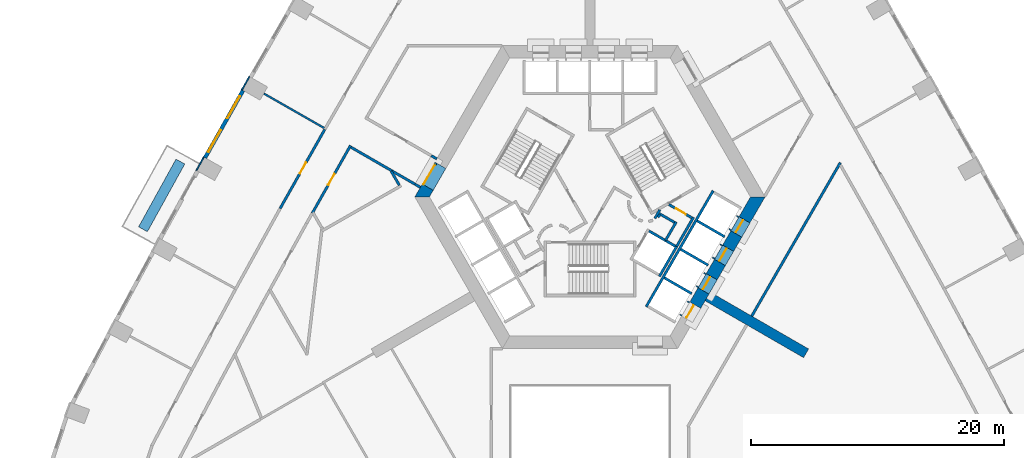
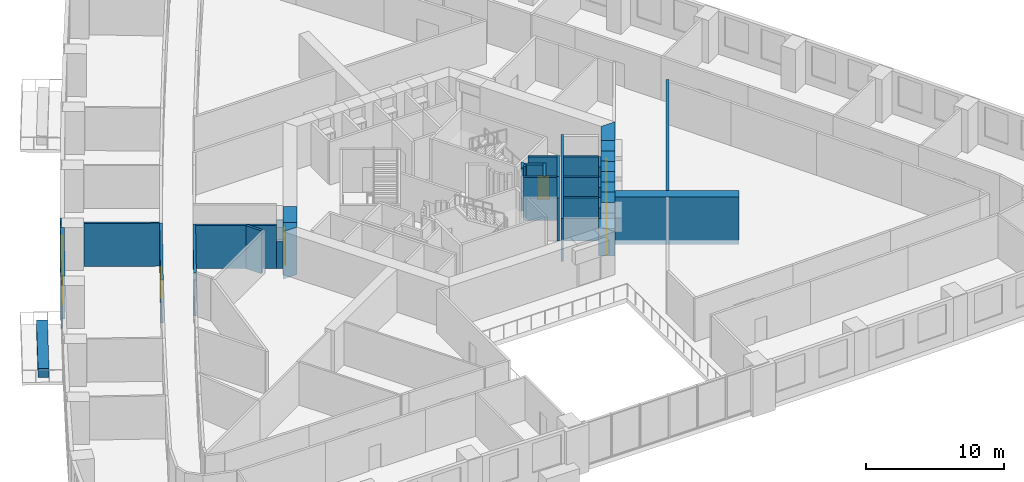
# One storey, part 7 of 16: 40 walls, 8 doors, 2 windows, 10 openings.
"""IFC4 building model written with IfcOpenShell, lengths in metres."""

from ifc_helpers import new_model, si_unit, direction, frame, frame_2d, origin, place, context, subcontext, project, spatial, polyline, rectangle, outline, extrude, material, layer, layer_set, type_object, element, fill, save


model = new_model("IFC4")

# Units and contexts
model_context = context("Model", 3, precision=1e-05, world=origin(), true_north=direction((0.0, 1.0)))
body_context = subcontext(model_context, "Body", "Model", "MODEL_VIEW")
ifc_project = project(units=[si_unit("LENGTHUNIT", "METRE"), si_unit("AREAUNIT", "SQUARE_METRE"), si_unit("VOLUMEUNIT", "CUBIC_METRE"), si_unit("PLANEANGLEUNIT", "RADIAN"), si_unit("MASSUNIT", "GRAM", prefix="KILO")], contexts=[model_context])

# Site, building, storey
site_placement = place(None, origin())
site = spatial("IfcSite", under=ifc_project, at=site_placement, CompositionType="ELEMENT")
building_placement = place(site_placement, origin())
building = spatial("IfcBuilding", under=site, at=building_placement, Name="Entoto Arch Interchange Tower", CompositionType="ELEMENT")
storey_placement = place(building_placement, frame((0.0, 0.0, 68.60009765625)))
storey = spatial("IfcBuildingStorey", under=building, at=storey_placement, Name="L14", CompositionType="ELEMENT", Elevation=68.60009765625)

# Wall
ifc_material_1 = material(Name="Concrete C60/75", Category="concrete")
ifc_layer_1 = layer(ifc_material_1, 0.800048828125)
ifc_layer_set_1 = layer_set([ifc_layer_1], Name="Concrete C60/75")
wall_type_1 = type_object("IfcWallType", Name="Buttress wall 800 C60/75", PredefinedType="SHEAR", material=ifc_layer_set_1)
wall_1_placement = place(storey_placement, frame((9.31005859375, -5.375, -0.400146484375), z_axis=(0.0, 0.0, 1.0), x_axis=(0.866017533419, -0.500013631625, 0.0)))
element("IfcWall", 1, at=wall_1_placement, inside=storey, type_object=wall_type_1, Name="Buttress wall SE L14", PredefinedType="SHEAR", context=body_context, shape_type="SweptSolid", body=[
    extrude(rectangle(XDim=8.999755859375, YDim=0.800048828125, at=frame_2d((4.5, 0.0))), origin(), (0.0, 0.0, 1.0), 4.199951171875),
])

# Wall, opening, door
ifc_material_2 = material(Name="Reinforced concrete C40/50", Category="concrete")
ifc_layer_2 = layer(ifc_material_2, 0.199951171875)
ifc_layer_set_2 = layer_set([ifc_layer_2], Name="Reinforced concrete C40/50")
wall_type_2 = type_object("IfcWallType", Name="CORE GAP INFILL WALL", PredefinedType="PARTITIONING", material=ifc_layer_set_2)
wall_2_placement = place(storey_placement, frame((-12.179931640625, 5.201904296875, 0.0), z_axis=(0.0, 0.0, 1.0), x_axis=(-0.50002537861, -0.866010750942, 0.0)))
wall_2 = element("IfcWall", 2, at=wall_2_placement, inside=storey, type_object=wall_type_2, Name="wall:L14:gap3", PredefinedType="PARTITIONING", context=body_context, shape_type="SweptSolid", body=[
    extrude(rectangle(XDim=2.0, YDim=0.199951171875, at=frame_2d((1.0, 0.0))), origin(), (0.0, 0.0, 1.0), 2.39990234375),
])
opening_1_placement = place(wall_2_placement, frame((0.18994140625, 0.0, 0.0)))
opening_1 = element("IfcOpeningElement", 3, at=opening_1_placement, cuts=wall_2, Name="Opening L14-D93", PredefinedType="OPENING", context=body_context, shape_type="SweptSolid", body=[
    extrude(rectangle(XDim=1.800048828125, YDim=2.10009765625, at=frame_2d((0.89990234375, 1.050048828125))), frame((0.0, 0.10986328125, 0.0), z_axis=(0.0, -1.0, 0.0), x_axis=(1.0, 0.0, 0.0)), (0.0, 0.0, 1.0), 0.219970703125),
])
ifc_material_3 = material(Name="Fire-rated Steel S235 door and frame", Category="steel")
door_type_1 = type_object("IfcDoorType", Name="DOOR FD-18 1800x2100", OperationType="DOUBLE_DOOR_SINGLE_SWING", PredefinedType="DOOR", material=ifc_material_3)
door_1_placement = place(opening_1_placement, origin())
door_1 = element("IfcDoor", 4, at=door_1_placement, inside=storey, type_object=door_type_1, Name="door:L14:gap3", OperationType="DOUBLE_DOOR_SINGLE_SWING", OverallHeight=2.10009765625, OverallWidth=1.800048828125, PredefinedType="DOOR", context=body_context, shape_type="SweptSolid", body=[
    extrude(rectangle(XDim=1.800048828125, YDim=2.10009765625, at=frame_2d((0.89990234375, 1.050048828125))), frame((0.0, 0.02490234375, 0.0), z_axis=(0.0, -1.0, 0.0), x_axis=(1.0, 0.0, 0.0)), (0.0, 0.0, 1.0), 0.050048828125),
])
fill(opening_1, door_1)

# Walls
ifc_layer_3 = layer(ifc_material_1, 1.0)
ifc_layer_set_3 = layer_set([ifc_layer_3], Name="Concrete C60/75")
wall_type_3 = type_object("IfcWallType", Name="Core wall 1000 C60/75", PredefinedType="SHEAR", material=ifc_layer_set_3)
wall_3_placement = place(storey_placement, frame((0.0, 0.0, -0.400146484375)))
element("IfcWall", 5, at=wall_3_placement, inside=storey, type_object=wall_type_3, Name="Core wall NW L14", PredefinedType="SHEAR", context=body_context, shape_type="SweptSolid", body=[
    extrude(outline(polyline([(-12.402099609375, 3.02001953125), (-13.26708984375, 3.52001953125), (-13.85595703125, 2.5), (-12.701904296875, 2.5), (-12.402099609375, 3.02001953125)])), origin(), (0.0, 0.0, 1.0), 4.199951171875),
])
wall_4_placement = place(storey_placement, frame((0.0, 0.0, 3.599853515625)))
element("IfcWall", 6, at=wall_4_placement, inside=storey, type_object=wall_type_3, Name="Core wall lintel NW L14", PredefinedType="SHEAR", context=body_context, shape_type="SweptSolid", body=[
    extrude(outline(polyline([(-13.26708984375, 3.52001953125), (-12.402099609375, 3.02001953125), (-11.402099609375, 4.751953125), (-12.26708984375, 5.251953125), (-13.26708984375, 3.52001953125)])), origin(), (0.0, 0.0, 1.0), 0.199951171875),
])
wall_5_placement = place(storey_placement, frame((0.0, 0.0, -0.400146484375)))
element("IfcWall", 7, at=wall_5_placement, inside=storey, type_object=wall_type_3, Name="Core wall SE L14", PredefinedType="SHEAR", context=body_context, shape_type="SweptSolid", body=[
    extrude(outline(polyline([(9.4169921875, -5.18896484375), (8.551025390625, -4.68896484375), (7.902099609375, -5.81396484375), (8.76708984375, -6.31396484375), (9.4169921875, -5.18896484375)])), origin(), (0.0, 0.0, 1.0), 4.199951171875),
])
wall_6_placement = place(storey_placement, frame((0.0, 0.0, -0.400146484375)))
element("IfcWall", 8, at=wall_6_placement, inside=storey, type_object=wall_type_3, Name="Core wall SE L14", PredefinedType="SHEAR", context=body_context, shape_type="SweptSolid", body=[
    extrude(outline(polyline([(10.717041015625, -2.93701171875), (9.85107421875, -2.43701171875), (9.200927734375, -3.56298828125), (10.06689453125, -4.06298828125), (10.717041015625, -2.93701171875)])), origin(), (0.0, 0.0, 1.0), 4.199951171875),
])
wall_7_placement = place(storey_placement, frame((0.0, 0.0, -0.400146484375)))
element("IfcWall", 9, at=wall_7_placement, inside=storey, type_object=wall_type_3, Name="Core wall SE L14", PredefinedType="SHEAR", context=body_context, shape_type="SweptSolid", body=[
    extrude(outline(polyline([(12.01708984375, -0.68603515625), (11.15087890625, -0.18603515625), (10.5009765625, -1.31103515625), (11.366943359375, -1.81103515625), (12.01708984375, -0.68603515625)])), origin(), (0.0, 0.0, 1.0), 4.199951171875),
])
wall_8_placement = place(storey_placement, frame((0.0, 0.0, -0.400146484375)))
element("IfcWall", 10, at=wall_8_placement, inside=storey, type_object=wall_type_3, Name="Core wall SE L14", PredefinedType="SHEAR", context=body_context, shape_type="SweptSolid", body=[
    extrude(outline(polyline([(11.801025390625, 0.93994140625), (12.6669921875, 0.43994140625), (13.85595703125, 2.5), (12.701904296875, 2.5), (11.801025390625, 0.93994140625)])), origin(), (0.0, 0.0, 1.0), 4.199951171875),
])
wall_9_placement = place(storey_placement, frame((0.0, 0.0, 3.599853515625)))
element("IfcWall", 11, at=wall_9_placement, inside=storey, type_object=wall_type_3, Name="Core wall lintel SE L14", PredefinedType="SHEAR", context=body_context, shape_type="SweptSolid", body=[
    extrude(outline(polyline([(10.06689453125, -4.06298828125), (9.200927734375, -3.56298828125), (8.551025390625, -4.68896484375), (9.4169921875, -5.18896484375), (10.06689453125, -4.06298828125)])), origin(), (0.0, 0.0, 1.0), 0.199951171875),
])
wall_10_placement = place(storey_placement, frame((0.0, 0.0, 3.599853515625)))
element("IfcWall", 12, at=wall_10_placement, inside=storey, type_object=wall_type_3, Name="Core wall lintel SE L14", PredefinedType="SHEAR", context=body_context, shape_type="SweptSolid", body=[
    extrude(outline(polyline([(11.366943359375, -1.81103515625), (10.5009765625, -1.31103515625), (9.85107421875, -2.43701171875), (10.717041015625, -2.93701171875), (11.366943359375, -1.81103515625)])), origin(), (0.0, 0.0, 1.0), 0.199951171875),
])
wall_11_placement = place(storey_placement, frame((0.0, 0.0, 3.599853515625)))
element("IfcWall", 13, at=wall_11_placement, inside=storey, type_object=wall_type_3, Name="Core wall lintel SE L14", PredefinedType="SHEAR", context=body_context, shape_type="SweptSolid", body=[
    extrude(outline(polyline([(12.6669921875, 0.43994140625), (11.801025390625, 0.93994140625), (11.15087890625, -0.18603515625), (12.01708984375, -0.68603515625), (12.6669921875, 0.43994140625)])), origin(), (0.0, 0.0, 1.0), 0.199951171875),
])

# Wall, opening, door
ifc_material_4 = material(Name="Concrete C40/50", Category="concrete")
ifc_layer_4 = layer(ifc_material_4, 1.199951171875)
ifc_layer_set_4 = layer_set([ifc_layer_4], Name="Concrete C40/50")
wall_type_4 = type_object("IfcWallType", Name="LIFT LANDING INFILL WALL", PredefinedType="STANDARD", material=ifc_layer_set_4)
wall_12_placement = place(storey_placement, frame((7.597900390625, -7.139892578125, 0.0), z_axis=(0.0, 0.0, 1.0), x_axis=(0.500362116554, 0.865816234728, 0.0)))
wall_12 = element("IfcWall", 14, at=wall_12_placement, inside=storey, type_object=wall_type_4, Name="Lift landing infill wall LR5 L14", PredefinedType="STANDARD", context=body_context, shape_type="SweptSolid", body=[
    extrude(rectangle(XDim=1.29931640625, YDim=1.199951171875, at=frame_2d((0.649658203125, 0.0))), origin(), (0.0, 0.0, 1.0), 2.39990234375),
])
opening_2_placement = place(wall_12_placement, frame((0.10009765625, 0.0, 0.0)))
opening_2 = element("IfcOpeningElement", 15, at=opening_2_placement, cuts=wall_12, Name="Opening LD-LR5-L14", PredefinedType="OPENING", context=body_context, shape_type="SweptSolid", body=[
    extrude(rectangle(XDim=1.10009765625, YDim=2.300048828125, at=frame_2d((0.550048828125, 1.14990234375))), frame((0.0, 0.60986328125, 0.0), z_axis=(0.0, -1.0, 0.0), x_axis=(1.0, 0.0, 0.0)), (0.0, 0.0, 1.0), 1.219970703125),
])
ifc_material_5 = material(Name="Stainless steel 1.4301 panels", Category="steel")
door_type_2 = type_object("IfcDoorType", Name="LIFT LANDING DOOR LD2 1100x2300", OperationType="SLIDING_TO_LEFT", PredefinedType="DOOR", material=ifc_material_5)
door_2_placement = place(opening_2_placement, origin())
door_2 = element("IfcDoor", 16, at=door_2_placement, inside=storey, type_object=door_type_2, Name="Lift landing door LR5 L14", OperationType="SLIDING_TO_LEFT", OverallHeight=2.300048828125, OverallWidth=1.10009765625, PredefinedType="DOOR", context=body_context, shape_type="SweptSolid", body=[
    extrude(rectangle(XDim=1.10009765625, YDim=2.300048828125, at=frame_2d((0.550048828125, 1.14990234375))), frame((0.0, 0.02490234375, 0.0), z_axis=(0.0, -1.0, 0.0), x_axis=(1.0, 0.0, 0.0)), (0.0, 0.0, 1.0), 0.050048828125),
])
fill(opening_2, door_2)

wall_13_placement = place(storey_placement, frame((8.89794921875, -4.888916015625, 0.0), z_axis=(0.0, 0.0, 1.0), x_axis=(0.500036693733, 0.866004217611, 0.0)))
wall_13 = element("IfcWall", 17, at=wall_13_placement, inside=storey, type_object=wall_type_4, Name="Lift landing infill wall LR6 L14", PredefinedType="STANDARD", context=body_context, shape_type="SweptSolid", body=[
    extrude(rectangle(XDim=1.30029296875, YDim=1.199951171875, at=frame_2d((0.650146484375, 0.0))), origin(), (0.0, 0.0, 1.0), 2.39990234375),
])
opening_3_placement = place(wall_13_placement, frame((0.10009765625, 0.0, 0.0)))
opening_3 = element("IfcOpeningElement", 18, at=opening_3_placement, cuts=wall_13, Name="Opening LD-LR6-L14", PredefinedType="OPENING", context=body_context, shape_type="SweptSolid", body=[
    extrude(rectangle(XDim=1.10009765625, YDim=2.300048828125, at=frame_2d((0.550048828125, 1.14990234375))), frame((0.0, 0.60986328125, 0.0), z_axis=(0.0, -1.0, 0.0), x_axis=(1.0, 0.0, 0.0)), (0.0, 0.0, 1.0), 1.219970703125),
])
door_3_placement = place(opening_3_placement, origin())
door_3 = element("IfcDoor", 19, at=door_3_placement, inside=storey, type_object=door_type_2, Name="Lift landing door LR6 L14", OperationType="SLIDING_TO_LEFT", OverallHeight=2.300048828125, OverallWidth=1.10009765625, PredefinedType="DOOR", context=body_context, shape_type="SweptSolid", body=[
    extrude(rectangle(XDim=1.10009765625, YDim=2.300048828125, at=frame_2d((0.550048828125, 1.14990234375))), frame((0.0, 0.02490234375, 0.0), z_axis=(0.0, -1.0, 0.0), x_axis=(1.0, 0.0, 0.0)), (0.0, 0.0, 1.0), 0.050048828125),
])
fill(opening_3, door_3)

wall_14_placement = place(storey_placement, frame((10.197998046875, -2.636962890625, 0.0), z_axis=(0.0, 0.0, 1.0), x_axis=(0.49989585183, 0.866085525409, 0.0)))
wall_14 = element("IfcWall", 20, at=wall_14_placement, inside=storey, type_object=wall_type_4, Name="Lift landing infill wall LR7 L14", PredefinedType="STANDARD", context=body_context, shape_type="SweptSolid", body=[
    extrude(rectangle(XDim=1.300048828125, YDim=1.199951171875, at=frame_2d((0.64990234375, 0.0))), origin(), (0.0, 0.0, 1.0), 2.39990234375),
])
opening_4_placement = place(wall_14_placement, frame((0.10009765625, 0.0, 0.0)))
opening_4 = element("IfcOpeningElement", 21, at=opening_4_placement, cuts=wall_14, Name="Opening LD-LR7-L14", PredefinedType="OPENING", context=body_context, shape_type="SweptSolid", body=[
    extrude(rectangle(XDim=1.10009765625, YDim=2.300048828125, at=frame_2d((0.550048828125, 1.14990234375))), frame((0.0, 0.60986328125, 0.0), z_axis=(0.0, -1.0, 0.0), x_axis=(1.0, 0.0, 0.0)), (0.0, 0.0, 1.0), 1.219970703125),
])
door_4_placement = place(opening_4_placement, origin())
door_4 = element("IfcDoor", 22, at=door_4_placement, inside=storey, type_object=door_type_2, Name="Lift landing door LR7 L14", OperationType="SLIDING_TO_LEFT", OverallHeight=2.300048828125, OverallWidth=1.10009765625, PredefinedType="DOOR", context=body_context, shape_type="SweptSolid", body=[
    extrude(rectangle(XDim=1.10009765625, YDim=2.300048828125, at=frame_2d((0.550048828125, 1.14990234375))), frame((0.0, 0.02490234375, 0.0), z_axis=(0.0, -1.0, 0.0), x_axis=(1.0, 0.0, 0.0)), (0.0, 0.0, 1.0), 0.050048828125),
])
fill(opening_4, door_4)

wall_15_placement = place(storey_placement, frame((11.498046875, -0.385009765625, 0.0), z_axis=(0.0, 0.0, 1.0), x_axis=(0.500221244143, 0.865897630733, 0.0)))
wall_15 = element("IfcWall", 23, at=wall_15_placement, inside=storey, type_object=wall_type_4, Name="Lift landing infill wall LR8 L14", PredefinedType="STANDARD", context=body_context, shape_type="SweptSolid", body=[
    extrude(rectangle(XDim=1.29931640625, YDim=1.199951171875, at=frame_2d((0.649658203125, 0.0))), origin(), (0.0, 0.0, 1.0), 2.39990234375),
])
opening_5_placement = place(wall_15_placement, frame((0.10009765625, 0.0, 0.0)))
opening_5 = element("IfcOpeningElement", 24, at=opening_5_placement, cuts=wall_15, Name="Opening LD-LR8-L14", PredefinedType="OPENING", context=body_context, shape_type="SweptSolid", body=[
    extrude(rectangle(XDim=1.10009765625, YDim=2.300048828125, at=frame_2d((0.550048828125, 1.14990234375))), frame((0.0, 0.60986328125, 0.0), z_axis=(0.0, -1.0, 0.0), x_axis=(1.0, 0.0, 0.0)), (0.0, 0.0, 1.0), 1.219970703125),
])
door_5_placement = place(opening_5_placement, origin())
door_5 = element("IfcDoor", 25, at=door_5_placement, inside=storey, type_object=door_type_2, Name="Lift landing door LR8 L14", OperationType="SLIDING_TO_LEFT", OverallHeight=2.300048828125, OverallWidth=1.10009765625, PredefinedType="DOOR", context=body_context, shape_type="SweptSolid", body=[
    extrude(rectangle(XDim=1.10009765625, YDim=2.300048828125, at=frame_2d((0.550048828125, 1.14990234375))), frame((0.0, 0.02490234375, 0.0), z_axis=(0.0, -1.0, 0.0), x_axis=(1.0, 0.0, 0.0)), (0.0, 0.0, 1.0), 0.050048828125),
])
fill(opening_5, door_5)

# Walls
ifc_layer_5 = layer(ifc_material_4, 0.199951171875)
ifc_layer_set_5 = layer_set([ifc_layer_5], Name="Concrete C40/50")
wall_type_5 = type_object("IfcWallType", Name="LIFT SHAFT WALL 200", PredefinedType="STANDARD", material=ifc_layer_set_5)
wall_16_placement = place(storey_placement, frame((5.491943359375, -3.7880859375, 0.0), z_axis=(0.0, 0.0, 1.0), x_axis=(0.500011755427, 0.866018616679, 0.0)))
element("IfcWall", 26, at=wall_16_placement, inside=storey, type_object=wall_type_5, Name="Shaft wall SE1 back", PredefinedType="STANDARD", context=body_context, shape_type="SweptSolid", body=[
    extrude(rectangle(XDim=2.80029296875, YDim=0.199951171875, at=frame_2d((1.400146484375, 0.0))), origin(), (0.0, 0.0, 1.0), 3.7998046875),
])
wall_17_placement = place(storey_placement, frame((4.677001953125, -0.199951171875, 0.0), z_axis=(0.0, 0.0, 1.0), x_axis=(0.865973769406, -0.500089422704, 0.0)))
element("IfcWall", 27, at=wall_17_placement, inside=storey, type_object=wall_type_5, Name="Shaft wall SE1 cross 2", PredefinedType="STANDARD", context=body_context, shape_type="SweptSolid", body=[
    extrude(rectangle(XDim=2.3994140625, YDim=0.199951171875, at=frame_2d((1.19970703125, 0.0))), origin(), (0.0, 0.0, 1.0), 3.7998046875),
])
wall_18_placement = place(storey_placement, frame((4.450927734375, -6.18994140625, 0.0), z_axis=(0.0, 0.0, 1.0), x_axis=(0.50000090737, 0.866024879913, 0.0)))
element("IfcWall", 28, at=wall_18_placement, inside=storey, type_object=wall_type_5, Name="Shaft wall SE3 front", PredefinedType="STANDARD", context=body_context, shape_type="SweptSolid", body=[
    extrude(rectangle(XDim=10.60009765625, YDim=0.199951171875, at=frame_2d((5.300048828125, 0.0))), origin(), (0.0, 0.0, 1.0), 3.7998046875),
])
for number, where, z_axis, x_axis, name in (
    (29, (5.887939453125, -3.902099609375, 0.0), (0.0, 0.0, 1.0), (0.866022959057, -0.500004234368, 0.0), "Shaft wall SE3 cross 2"),
    (30, (7.18798828125, -1.64990234375, 0.0), (0.0, 0.0, 1.0), (0.866022959057, -0.500004234368, 0.0), "Shaft wall SE3 cross 3"),
    (31, (8.488037109375, 0.60205078125, 0.0), (0.0, 0.0, 1.0), (0.866022959057, -0.500004234368, 0.0), "Shaft wall SE3 cross 4"),
):
    element("IfcWall", number, at=place(storey_placement, frame(where, z_axis=z_axis, x_axis=x_axis)), inside=storey, type_object=wall_type_5, Name=name, PredefinedType="STANDARD", context=body_context, shape_type="SweptSolid", body=[
        extrude(rectangle(XDim=2.5, YDim=0.199951171875, at=frame_2d((1.25, 0.0))), origin(), (0.0, 0.0, 1.0), 3.7998046875),
    ])
ifc_material_6 = material(Name="Gypsum board partition on steel studs", Category="steel")
ifc_layer_6 = layer(ifc_material_6, 0.14990234375)
ifc_layer_set_6 = layer_set([ifc_layer_6], Name="Gypsum board partition on steel studs")
wall_type_6 = type_object("IfcWallType", Name="PARTITION 150", PredefinedType="PARTITIONING", material=ifc_layer_set_6)
wall_19_placement = place(storey_placement, frame((-21.032958984375, 7.952880859375, 0.0), z_axis=(0.0, 0.0, 1.0), x_axis=(-0.868311678357, 0.496018980715, 0.0)))
element("IfcWall", 32, at=wall_19_placement, inside=storey, type_object=wall_type_6, Name="wall:L14:p146", PredefinedType="PARTITIONING", context=body_context, shape_type="SweptSolid", body=[
    extrude(rectangle(XDim=5.479736328125, YDim=0.14990234375, at=frame_2d((2.73974609375, 0.0))), origin(), (0.0, 0.0, 1.0), 3.7998046875),
])
ifc_layer_7 = layer(ifc_material_6, 0.199951171875)
ifc_layer_set_7 = layer_set([ifc_layer_7], Name="Gypsum board partition on steel studs")
wall_type_7 = type_object("IfcWallType", Name="PARTITION 200", PredefinedType="PARTITIONING", material=ifc_layer_set_7)
wall_20_placement = place(storey_placement, frame((-15.68701171875, 4.571044921875, 0.0), z_axis=(0.0, 0.0, 1.0), x_axis=(-0.866044530317, 0.49996687041, 0.0)))
element("IfcWall", 33, at=wall_20_placement, inside=storey, type_object=wall_type_7, Name="wall:L14:p027", PredefinedType="PARTITIONING", context=body_context, shape_type="SweptSolid", body=[
    extrude(rectangle(XDim=3.718017578125, YDim=0.199951171875, at=frame_2d((1.85888671875, 0.0))), origin(), (0.0, 0.0, 1.0), 3.7998046875),
])

# Wall, opening, door
wall_21_placement = place(storey_placement, frame((-18.945068359375, 6.56689453125, 0.0), z_axis=(0.0, 0.0, 1.0), x_axis=(-0.491840751019, -0.87068517596, 0.0)))
wall_21 = element("IfcWall", 34, at=wall_21_placement, inside=storey, type_object=wall_type_7, Name="wall:L14:p028", PredefinedType="PARTITIONING", context=body_context, shape_type="SweptSolid", body=[
    extrude(rectangle(XDim=6.16845703125, YDim=0.199951171875, at=frame_2d((3.084228515625, 0.0))), origin(), (0.0, 0.0, 1.0), 3.7998046875),
])
opening_6_placement = place(wall_21_placement, frame((2.583984375, 0.0, 0.0)))
opening_6 = element("IfcOpeningElement", 35, at=opening_6_placement, cuts=wall_21, Name="Opening L14-D21", PredefinedType="OPENING", context=body_context, shape_type="SweptSolid", body=[
    extrude(rectangle(XDim=1.0, YDim=2.10009765625, at=frame_2d((0.5, 1.050048828125))), frame((0.0, 0.10986328125, 0.0), z_axis=(0.0, -1.0, 0.0), x_axis=(1.0, 0.0, 0.0)), (0.0, 0.0, 1.0), 0.219970703125),
])
ifc_material_7 = material(Name="Timber door leaf in Steel S235 frame", Category="steel")
door_type_3 = type_object("IfcDoorType", Name="DOOR DS-10 1000x2100", OperationType="SINGLE_SWING_LEFT", PredefinedType="DOOR", material=ifc_material_7)
door_6_placement = place(opening_6_placement, origin())
door_6 = element("IfcDoor", 36, at=door_6_placement, inside=storey, type_object=door_type_3, Name="door:L14:21", OperationType="SINGLE_SWING_LEFT", OverallHeight=2.10009765625, OverallWidth=1.0, PredefinedType="DOOR", context=body_context, shape_type="SweptSolid", body=[
    extrude(rectangle(XDim=1.0, YDim=2.10009765625, at=frame_2d((0.5, 1.050048828125))), frame((0.0, 0.02490234375, 0.0), z_axis=(0.0, -1.0, 0.0), x_axis=(1.0, 0.0, 0.0)), (0.0, 0.0, 1.0), 0.050048828125),
])
fill(opening_6, door_6)

# Wall
wall_22_placement = place(storey_placement, frame((-13.4169921875, 3.260009765625, 0.0), z_axis=(0.0, 0.0, 1.0), x_axis=(-0.866071776036, 0.499919672301, 0.0)))
element("IfcWall", 37, at=wall_22_placement, inside=storey, type_object=wall_type_7, Name="wall:L14:p029", PredefinedType="PARTITIONING", context=body_context, shape_type="SweptSolid", body=[
    extrude(rectangle(XDim=0.5, YDim=0.199951171875, at=frame_2d((0.25, 0.0))), origin(), (0.0, 0.0, 1.0), 2.39990234375),
])

# Wall, opening, door
wall_23_placement = place(storey_placement, frame((-24.514892578125, 1.5849609375, 0.0), z_axis=(0.0, 0.0, 1.0), x_axis=(0.49174361417, 0.870740040381, 0.0)))
wall_23 = element("IfcWall", 38, at=wall_23_placement, inside=storey, type_object=wall_type_7, Name="wall:L14:p072", PredefinedType="PARTITIONING", context=body_context, shape_type="SweptSolid", body=[
    extrude(rectangle(XDim=7.1826171875, YDim=0.199951171875, at=frame_2d((3.59130859375, 0.0))), origin(), (0.0, 0.0, 1.0), 3.7998046875),
])
opening_7_placement = place(wall_23_placement, frame((3.166015625, 0.0, 0.0)))
opening_7 = element("IfcOpeningElement", 39, at=opening_7_placement, cuts=wall_23, Name="Opening L14-D14", PredefinedType="OPENING", context=body_context, shape_type="SweptSolid", body=[
    extrude(rectangle(XDim=1.0, YDim=2.10009765625, at=frame_2d((0.5, 1.050048828125))), frame((0.0, 0.10986328125, 0.0), z_axis=(0.0, -1.0, 0.0), x_axis=(1.0, 0.0, 0.0)), (0.0, 0.0, 1.0), 0.219970703125),
])
door_7_placement = place(opening_7_placement, origin())
door_7 = element("IfcDoor", 40, at=door_7_placement, inside=storey, type_object=door_type_3, Name="door:L14:14", OperationType="SINGLE_SWING_RIGHT", OverallHeight=2.10009765625, OverallWidth=1.0, PredefinedType="DOOR", context=body_context, shape_type="SweptSolid", body=[
    extrude(rectangle(XDim=1.0, YDim=2.10009765625, at=frame_2d((0.5, 1.050048828125))), frame((0.0, 0.02490234375, 0.0), z_axis=(0.0, -1.0, 0.0), x_axis=(1.0, 0.0, 0.0)), (0.0, 0.0, 1.0), 0.050048828125),
])
fill(opening_7, door_7)

# Walls
wall_24_placement = place(storey_placement, frame((5.389892578125, 0.89794921875, 0.0), z_axis=(0.0, 0.0, 1.0), x_axis=(0.673828488714, 0.738887791073, 0.0)))
element("IfcWall", 41, at=wall_24_placement, inside=storey, type_object=wall_type_7, Name="wall:L14:p086", PredefinedType="PARTITIONING", context=body_context, shape_type="SweptSolid", body=[
    extrude(rectangle(XDim=0.2626953125, YDim=0.199951171875, at=frame_2d((0.13134765625, 0.0))), origin(), (0.0, 0.0, 1.0), 3.7998046875),
])
wall_25_placement = place(storey_placement, frame((5.4990234375, 1.172119140625, 0.0), z_axis=(0.0, 0.0, 1.0), x_axis=(0.866333505267, -0.499465972466, 0.0)))
element("IfcWall", 42, at=wall_25_placement, inside=storey, type_object=wall_type_7, Name="wall:L14:p087", PredefinedType="PARTITIONING", context=body_context, shape_type="SweptSolid", body=[
    extrude(rectangle(XDim=1.37353515625, YDim=0.199951171875, at=frame_2d((0.686767578125, 0.0))), origin(), (0.0, 0.0, 1.0), 3.7998046875),
])
wall_26_placement = place(storey_placement, frame((6.825927734375, 0.52197265625, 0.0), z_axis=(0.0, 0.0, 1.0), x_axis=(-0.500016722714, -0.866015748706, 0.0)))
element("IfcWall", 43, at=wall_26_placement, inside=storey, type_object=wall_type_7, Name="wall:L14:p088", PredefinedType="PARTITIONING", context=body_context, shape_type="SweptSolid", body=[
    extrude(rectangle(XDim=1.69970703125, YDim=0.199951171875, at=frame_2d((0.849853515625, 0.0))), origin(), (0.0, 0.0, 1.0), 3.7998046875),
])

# Wall, opening, door
wall_27_placement = place(storey_placement, frame((6.25, 1.89404296875, 0.0), z_axis=(0.0, 0.0, 1.0), x_axis=(0.866043184279, -0.499969202016, 0.0)))
wall_27 = element("IfcWall", 44, at=wall_27_placement, inside=storey, type_object=wall_type_7, Name="wall:L14:p089", PredefinedType="PARTITIONING", context=body_context, shape_type="SweptSolid", body=[
    extrude(rectangle(XDim=2.084228515625, YDim=0.199951171875, at=frame_2d((1.0419921875, 0.0))), origin(), (0.0, 0.0, 1.0), 3.7998046875),
])
opening_8_placement = place(wall_27_placement, frame((0.64208984375, 0.0, 0.0)))
opening_8 = element("IfcOpeningElement", 45, at=opening_8_placement, cuts=wall_27, Name="Opening L14-D33", PredefinedType="OPENING", context=body_context, shape_type="SweptSolid", body=[
    extrude(rectangle(XDim=0.89990234375, YDim=2.10009765625, at=frame_2d((0.449951171875, 1.050048828125))), frame((0.0, 0.10986328125, 0.0), z_axis=(0.0, -1.0, 0.0), x_axis=(1.0, 0.0, 0.0)), (0.0, 0.0, 1.0), 0.219970703125),
])
door_type_4 = type_object("IfcDoorType", Name="DOOR DS-09 900x2100", OperationType="SINGLE_SWING_LEFT", PredefinedType="DOOR", material=ifc_material_7)
door_8_placement = place(opening_8_placement, origin())
door_8 = element("IfcDoor", 46, at=door_8_placement, inside=storey, type_object=door_type_4, Name="door:L14:33", OperationType="SINGLE_SWING_LEFT", OverallHeight=2.10009765625, OverallWidth=0.89990234375, PredefinedType="DOOR", context=body_context, shape_type="SweptSolid", body=[
    extrude(rectangle(XDim=0.89990234375, YDim=2.10009765625, at=frame_2d((0.449951171875, 1.050048828125))), frame((0.0, 0.02490234375, 0.0), z_axis=(0.0, -1.0, 0.0), x_axis=(1.0, 0.0, 0.0)), (0.0, 0.0, 1.0), 0.050048828125),
])
fill(opening_8, door_8)

# Walls
wall_28_placement = place(storey_placement, frame((8.19189453125, 0.887939453125, 0.0), z_axis=(0.0, 0.0, 1.0), x_axis=(-0.499940625693, -0.866059680843, 0.0)))
element("IfcWall", 47, at=wall_28_placement, inside=storey, type_object=wall_type_7, Name="wall:L14:p090", PredefinedType="PARTITIONING", context=body_context, shape_type="SweptSolid", body=[
    extrude(rectangle(XDim=2.679931640625, YDim=0.199951171875, at=frame_2d((1.33984375, 0.0))), origin(), (0.0, 0.0, 1.0), 3.7998046875),
])
wall_29_placement = place(storey_placement, frame((5.135009765625, 0.79296875, 0.0), z_axis=(0.0, 0.0, 1.0), x_axis=(0.499526442893, 0.866298639529, 0.0)))
element("IfcWall", 48, at=wall_29_placement, inside=storey, type_object=wall_type_7, Name="wall:L14:p091", PredefinedType="PARTITIONING", context=body_context, shape_type="SweptSolid", body=[
    extrude(rectangle(XDim=0.790771484375, YDim=0.199951171875, at=frame_2d((0.3955078125, 0.0))), origin(), (0.0, 0.0, 1.0), 3.7998046875),
])
wall_30_placement = place(storey_placement, frame((19.81005859375, 5.2109375, 0.0), z_axis=(0.0, 0.0, 1.0), x_axis=(-0.500003368273, -0.866023459102, 0.0)))
element("IfcWall", 49, at=wall_30_placement, inside=storey, type_object=wall_type_7, Name="wall:L14:p122", PredefinedType="PARTITIONING", context=body_context, shape_type="SweptSolid", body=[
    extrude(rectangle(XDim=14.01806640625, YDim=0.199951171875, at=frame_2d((7.009033203125, 0.0))), origin(), (0.0, 0.0, 1.0), 3.7998046875),
])
wall_31_placement = place(storey_placement, frame((-15.72412109375, 4.533935546875, 0.0), z_axis=(0.0, 0.0, 1.0), x_axis=(0.500195085719, -0.865912741691, 0.0)))
element("IfcWall", 50, at=wall_31_placement, inside=storey, type_object=wall_type_7, Name="wall:L14:p123", PredefinedType="PARTITIONING", context=body_context, shape_type="SweptSolid", body=[
    extrude(rectangle(XDim=1.28173828125, YDim=0.199951171875, at=frame_2d((0.640869140625, 0.0))), origin(), (0.0, 0.0, 1.0), 3.7998046875),
])
wall_32_placement = place(storey_placement, frame((-12.550048828125, 5.761962890625, 0.0), z_axis=(0.0, 0.0, 1.0), x_axis=(0.866071776036, -0.499919672301, 0.0)))
element("IfcWall", 51, at=wall_32_placement, inside=storey, type_object=wall_type_7, Name="wall:L14:p003", PredefinedType="PARTITIONING", context=body_context, shape_type="SweptSolid", body=[
    extrude(rectangle(XDim=0.5, YDim=0.199951171875, at=frame_2d((0.25, 0.0))), origin(), (0.0, 0.0, 1.0), 2.39990234375),
])
wall_33_placement = place(storey_placement, frame((-13.85009765625, 3.510009765625, 0.0), z_axis=(0.0, 0.0, 1.0), x_axis=(-0.865924890849, 0.500174053114, 0.0)))
element("IfcWall", 52, at=wall_33_placement, inside=storey, type_object=wall_type_7, Name="wall:L14:p029", PredefinedType="PARTITIONING", context=body_context, shape_type="SweptSolid", body=[
    extrude(rectangle(XDim=2.121337890625, YDim=0.199951171875, at=frame_2d((1.060546875, 0.0))), origin(), (0.0, 0.0, 1.0), 3.7998046875),
])
ifc_material_8 = material(Name="Board-marked precast concrete C50/60", Category="concrete")
ifc_layer_8 = layer(ifc_material_8, 0.800048828125)
ifc_layer_set_8 = layer_set([ifc_layer_8], Name="Board-marked precast concrete C50/60")
wall_type_8 = type_object("IfcWallType", Name="PLANTER RC 800 Vachellia abyssinica", PredefinedType="STANDARD", material=ifc_layer_set_8)
wall_34_placement = place(storey_placement, frame((-32.404052734375, 5.298095703125, 0.0), z_axis=(0.0, 0.0, 1.0), x_axis=(-0.48346510207, -0.875363635914, 0.0)))
element("IfcWall", 53, at=wall_34_placement, inside=storey, type_object=wall_type_8, Name="Planter NW-07 L14", PredefinedType="STANDARD", context=body_context, shape_type="SweptSolid", body=[
    extrude(rectangle(XDim=6.12451171875, YDim=0.800048828125, at=frame_2d((3.062255859375, 0.0))), origin(), (0.0, 0.0, 1.0), 0.7998046875),
])

# Wall, openings, windows
ifc_material_9 = material(Name="Welded tuff (ignimbrite) cladding, warm buff", Category="masonry")
ifc_layer_9 = layer(ifc_material_9, 0.300048828125)
ifc_layer_set_9 = layer_set([ifc_layer_9], Name="Welded tuff (ignimbrite) cladding, warm buff")
wall_type_9 = type_object("IfcWallType", Name="STONE INFILL WALL 300", PredefinedType="STANDARD", material=ifc_layer_set_9)
wall_35_placement = place(storey_placement, frame((-27.448974609375, 10.927978515625, 0.0), z_axis=(0.0, 0.0, 1.0), x_axis=(-0.491887822214, -0.870658584267, 0.0)))
wall_35 = element("IfcWall", 54, at=wall_35_placement, inside=storey, type_object=wall_type_9, Name="Facade wall NW-06 L14", PredefinedType="STANDARD", context=body_context, shape_type="SweptSolid", body=[
    extrude(rectangle(XDim=6.125244140625, YDim=0.300048828125, at=frame_2d((3.0625, 0.0))), origin(), (0.0, 0.0, 1.0), 3.7998046875),
])
opening_9_placement = place(wall_35_placement, frame((0.531005859375, 0.0, 0.89990234375)))
opening_9 = element("IfcOpeningElement", 55, at=opening_9_placement, cuts=wall_35, Name="Opening WO-C", PredefinedType="OPENING", context=body_context, shape_type="SweptSolid", body=[
    extrude(rectangle(XDim=2.0, YDim=2.60009765625, at=frame_2d((1.0, 1.300048828125))), frame((0.0, 0.16015625, 0.0), z_axis=(0.0, -1.0, 0.0), x_axis=(1.0, 0.0, 0.0)), (0.0, 0.0, 1.0), 0.320068359375),
])
opening_10_placement = place(wall_35_placement, frame((3.593994140625, 0.0, 0.89990234375)))
opening_10 = element("IfcOpeningElement", 56, at=opening_10_placement, cuts=wall_35, Name="Opening WO-C", PredefinedType="OPENING", context=body_context, shape_type="SweptSolid", body=[
    extrude(rectangle(XDim=2.0, YDim=2.60009765625, at=frame_2d((1.0, 1.300048828125))), frame((0.0, 0.16015625, 0.0), z_axis=(0.0, -1.0, 0.0), x_axis=(1.0, 0.0, 0.0)), (0.0, 0.0, 1.0), 0.320068359375),
])
ifc_material_10 = material(Name="Clear glass, low-e double glazed", Category="glass")
window_type = type_object("IfcWindowType", Name="WINDOW WO-C 2000x2600", PartitioningType="DOUBLE_PANEL_VERTICAL", PredefinedType="WINDOW", material=ifc_material_10)
window_1_placement = place(opening_9_placement, origin())
window_1 = element("IfcWindow", 57, at=window_1_placement, inside=storey, type_object=window_type, Name="Window WO-C NW-06 L14", OverallHeight=2.60009765625, OverallWidth=2.0, PartitioningType="SINGLE_PANEL", PredefinedType="WINDOW", context=body_context, shape_type="SweptSolid", body=[
    extrude(rectangle(XDim=2.0, YDim=2.60009765625, at=frame_2d((1.0, 1.300048828125))), frame((0.0, 0.030029296875, 0.0), z_axis=(0.0, -1.0, 0.0), x_axis=(1.0, 0.0, 0.0)), (0.0, 0.0, 1.0), 0.06005859375),
])
fill(opening_9, window_1)
window_2_placement = place(opening_10_placement, origin())
window_2 = element("IfcWindow", 58, at=window_2_placement, inside=storey, type_object=window_type, Name="Window WO-C NW-06 L14", OverallHeight=2.60009765625, OverallWidth=2.0, PartitioningType="SINGLE_PANEL", PredefinedType="WINDOW", context=body_context, shape_type="SweptSolid", body=[
    extrude(rectangle(XDim=2.0, YDim=2.60009765625, at=frame_2d((1.0, 1.300048828125))), frame((0.0, 0.030029296875, 0.0), z_axis=(0.0, -1.0, 0.0), x_axis=(1.0, 0.0, 0.0)), (0.0, 0.0, 1.0), 0.06005859375),
])
fill(opening_10, window_2)

# Walls
ifc_layer_10 = layer(ifc_material_9, 0.10009765625)
ifc_layer_set_10 = layer_set([ifc_layer_10], Name="Welded tuff (ignimbrite) cladding, warm buff")
wall_type_10 = type_object("IfcWallType", Name="STONE PIER CLADDING 100", PredefinedType="STANDARD", material=ifc_layer_set_10)
wall_36_placement = place(storey_placement, frame((-26.944091796875, 12.02001953125, 0.0), z_axis=(0.0, 0.0, 1.0), x_axis=(-0.495854054996, -0.868405870629, 0.0)))
element("IfcWall", 59, at=wall_36_placement, inside=storey, type_object=wall_type_10, Name="Stone pier NW06 L14", PredefinedType="STANDARD", context=body_context, shape_type="SweptSolid", body=[
    extrude(rectangle(XDim=1.199951171875, YDim=0.10009765625, at=frame_2d((0.60009765625, 0.0))), origin(), (0.0, 0.0, 1.0), 3.7998046875),
])
wall_37_placement = place(storey_placement, frame((-30.552001953125, 5.64599609375, 0.0), z_axis=(0.0, 0.0, 1.0), x_axis=(-0.486730996044, -0.87355190887, 0.0)))
element("IfcWall", 60, at=wall_37_placement, inside=storey, type_object=wall_type_10, Name="Stone pier NW07 L14", PredefinedType="STANDARD", context=body_context, shape_type="SweptSolid", body=[
    extrude(rectangle(XDim=1.19970703125, YDim=0.10009765625, at=frame_2d((0.599853515625, 0.0))), origin(), (0.0, 0.0, 1.0), 3.7998046875),
])

save(model, "model.ifc")
